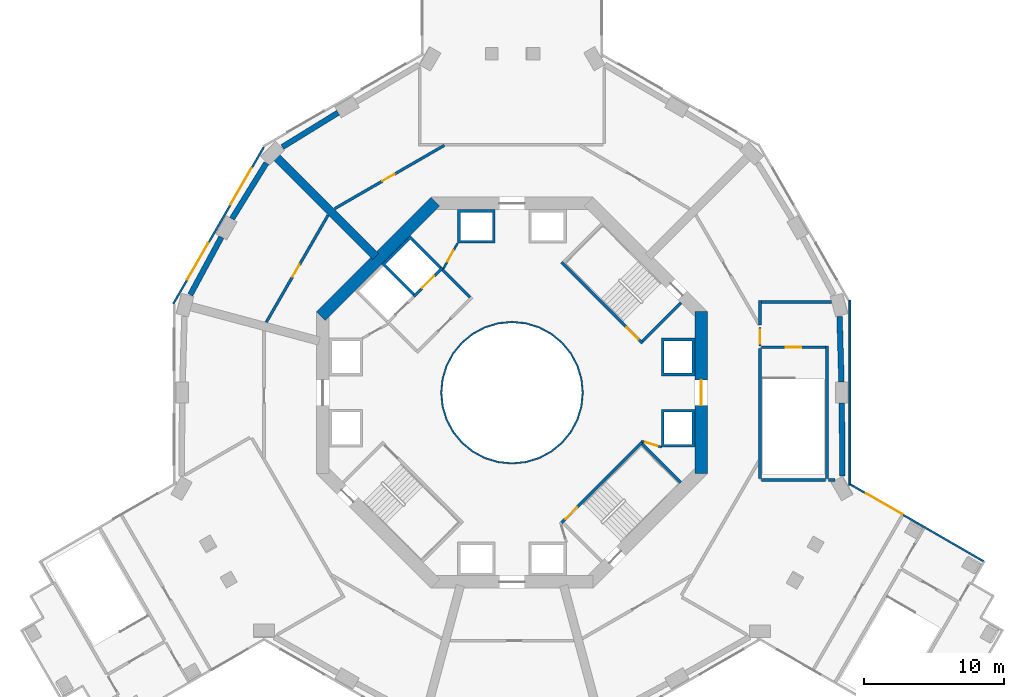
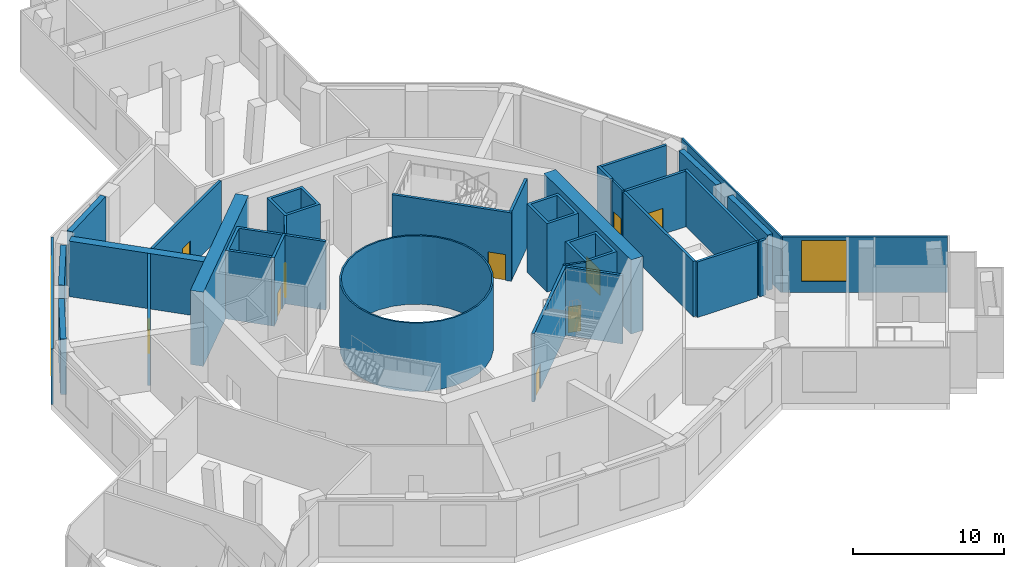
# One storey, part 4 of 12: 34 walls, 10 doors, 3 windows, 13 openings.
"""IFC4 building model written with IfcOpenShell, lengths in metres."""

from ifc_helpers import new_model, si_unit, direction, frame, frame_2d, origin, place, context, subcontext, project, spatial, polyline, rectangle, outline, extrude, material, layer, layer_set, type_object, element, fill, save


model = new_model("IFC4")

# Units and contexts
model_context = context("Model", 3, precision=1e-05, world=origin(), true_north=direction((0.0, 1.0)))
body_context = subcontext(model_context, "Body", "Model", "MODEL_VIEW")
ifc_project = project(units=[si_unit("LENGTHUNIT", "METRE"), si_unit("AREAUNIT", "SQUARE_METRE"), si_unit("VOLUMEUNIT", "CUBIC_METRE"), si_unit("PLANEANGLEUNIT", "RADIAN"), si_unit("MASSUNIT", "GRAM", prefix="KILO")], contexts=[model_context])

# Site, building, storey
site_placement = place(None, origin())
site = spatial("IfcSite", under=ifc_project, at=site_placement, CompositionType="ELEMENT")
building_placement = place(site_placement, origin())
building = spatial("IfcBuilding", under=site, at=building_placement, Name="Verdalira Terraces Hotel", CompositionType="ELEMENT")
storey_placement = place(building_placement, frame((0.0, 0.0, 28.0)))
storey = spatial("IfcBuildingStorey", under=building, at=storey_placement, Name="L05", CompositionType="ELEMENT", Elevation=28.0)

# Walls
ifc_material_1 = material(Name="Fire-resisting glass EI 180", Category="glass")
ifc_layer_1 = layer(ifc_material_1, 0.1201171875)
ifc_layer_set_1 = layer_set([ifc_layer_1], Name="Atrium fire screen 120 mm")
wall_type_1 = type_object("IfcWallType", Name="Atrium fire screen 120 mm", PredefinedType="SOLIDWALL", material=ifc_layer_set_1)
wall_1_placement = place(storey_placement, origin())
element("IfcWall", 1, at=wall_1_placement, inside=storey, type_object=wall_type_1, Name="Atrium fire screen", PredefinedType="SOLIDWALL", context=body_context, shape_type="SweptSolid", body=[
    extrude(outline(polyline([(5.021484, -0.998779), (4.730225, -1.959229), (4.25708, -2.844482), (3.620361, -3.620361), (2.844482, -4.25708), (1.959229, -4.730225), (0.998779, -5.021484), (0.0, -5.120117), (-0.998779, -5.021484), (-1.959229, -4.730225), (-2.844482, -4.25708), (-3.620361, -3.620361), (-4.25708, -2.844482), (-4.730225, -1.959229), (-5.021484, -0.998779), (-5.120117, 0.0), (-5.021484, 0.998779), (-4.730225, 1.959229), (-4.25708, 2.844482), (-3.620361, 3.620361), (-2.844482, 4.25708), (-1.959229, 4.730225), (-0.998779, 5.021484), (0.0, 5.120117), (0.998779, 5.021484), (1.959229, 4.730225), (2.844482, 4.25708), (3.620361, 3.620361), (4.25708, 2.844482), (4.730225, 1.959229), (5.021484, 0.998779), (5.120117, 0.0), (5.021484, -0.998779)]), holes=[polyline([(4.903809, 0.975586), (4.619385, 1.91333), (4.157227, 2.777832), (3.5354, 3.5354), (2.777832, 4.157227), (1.91333, 4.619385), (0.975586, 4.903809), (0.0, 5.0), (-0.975586, 4.903809), (-1.91333, 4.619385), (-2.777832, 4.157227), (-3.5354, 3.5354), (-4.157227, 2.777832), (-4.619385, 1.91333), (-4.903809, 0.975586), (-5.0, 0.0), (-4.903809, -0.975586), (-4.619385, -1.91333), (-4.157227, -2.777832), (-3.5354, -3.5354), (-2.777832, -4.157227), (-1.91333, -4.619385), (-0.975586, -4.903809), (0.0, -5.0), (0.975586, -4.903809), (1.91333, -4.619385), (2.777832, -4.157227), (3.5354, -3.5354), (4.157227, -2.777832), (4.619385, -1.91333), (4.903809, -0.975586), (5.0, 0.0), (4.903809, 0.975586)])]), origin(), (0.0, 0.0, 1.0), 5.550049),
])
ifc_material_2 = material(Name="Concrete C70", Category="concrete")
ifc_layer_2 = layer(ifc_material_2, 0.39990234375)
ifc_layer_set_2 = layer_set([ifc_layer_2], Name="Belt wall 400 C70")
wall_type_2 = type_object("IfcWallType", Name="Belt wall 400 C70", PredefinedType="SHEAR", material=ifc_layer_set_2)
for number, where, z_axis, x_axis, name in (
    (2, (-12.453369, 20.04541, 0.0), (0.0, 0.0, 1.0), (-0.851334227, -0.524623706, 0.0), "Belt wall BW-05-2"),
    (3, (-17.588135, 16.440918, 0.0), (0.0, 0.0, 1.0), (-0.524623706, -0.851334227, 0.0), "Belt wall BW-05-3"),
    (4, (-20.807617, 11.133057, 0.0), (0.0, 0.0, 1.0), (-0.474994751, -0.879988629, 0.0), "Belt wall BW-05-4"),
):
    element("IfcWall", number, at=place(storey_placement, frame(where, z_axis=z_axis, x_axis=x_axis)), inside=storey, type_object=wall_type_2, Name=name, PredefinedType="SHEAR", context=body_context, shape_type="SweptSolid", body=[
        extrude(rectangle(XDim=4.683838, YDim=0.399902, at=frame_2d((2.341797, 0.0))), origin(), (0.0, 0.0, 1.0), 4.5),
    ])
wall_2_placement = place(storey_placement, frame((23.651855, -5.971924, 0.0), z_axis=(0.0, 0.0, 1.0), x_axis=(-0.00729771, 0.999973371, 0.0)))
element("IfcWall", 5, at=wall_2_placement, inside=storey, type_object=wall_type_2, Name="Belt wall BW-05-13", PredefinedType="SHEAR", context=body_context, shape_type="SweptSolid", body=[
    extrude(rectangle(XDim=5.218994, YDim=0.399902, at=frame_2d((2.609375, 0.0))), origin(), (0.0, 0.0, 1.0), 4.5),
])
wall_3_placement = place(storey_placement, frame((23.586426, 0.762207, 0.0), z_axis=(0.0, 0.0, 1.0), x_axis=(-0.028666908, 0.99958902, 0.0)))
element("IfcWall", 6, at=wall_3_placement, inside=storey, type_object=wall_type_2, Name="Belt wall BW-05-14", PredefinedType="SHEAR", context=body_context, shape_type="SweptSolid", body=[
    extrude(rectangle(XDim=4.684082, YDim=0.399902, at=frame_2d((2.342041, 0.0))), origin(), (0.0, 0.0, 1.0), 4.5),
])
ifc_material_3 = material(Name="Concrete C50", Category="concrete")
ifc_layer_3 = layer(ifc_material_3, 0.199951171875)
ifc_layer_set_3 = layer_set([ifc_layer_3], Name="Core RC wall 200 C50")
wall_type_3 = type_object("IfcWallType", Name="Core RC wall 200 C50", PredefinedType="SOLIDWALL", material=ifc_layer_set_3)
wall_4_placement = place(storey_placement, origin())
element("IfcWall", 7, at=wall_4_placement, inside=storey, type_object=wall_type_3, Name="L05 shaft wall E1", PredefinedType="SOLIDWALL", context=body_context, shape_type="SweptSolid", body=[
    extrude(outline(polyline([(13.100098, -1.199951), (13.100098, -3.899902), (10.699951, -3.899902), (10.699951, -1.199951), (13.100098, -1.199951)]), holes=[polyline([(10.899902, -3.699951), (12.899902, -3.699951), (12.899902, -1.399902), (10.899902, -1.399902), (10.899902, -3.699951)])]), origin(), (0.0, 0.0, 1.0), 5.550049),
])
wall_5_placement = place(storey_placement, origin())
element("IfcWall", 8, at=wall_5_placement, inside=storey, type_object=wall_type_3, Name="L05 shaft wall E2", PredefinedType="SOLIDWALL", context=body_context, shape_type="SweptSolid", body=[
    extrude(outline(polyline([(10.699951, 3.899902), (13.100098, 3.899902), (13.100098, 1.199951), (10.699951, 1.199951), (10.699951, 3.899902)]), holes=[polyline([(12.899902, 1.399902), (12.899902, 3.699951), (10.899902, 3.699951), (10.899902, 1.399902), (12.899902, 1.399902)])]), origin(), (0.0, 0.0, 1.0), 5.550049),
])
wall_6_placement = place(storey_placement, origin())
element("IfcWall", 9, at=wall_6_placement, inside=storey, type_object=wall_type_3, Name="L05 shaft wall N2", PredefinedType="SOLIDWALL", context=body_context, shape_type="SweptSolid", body=[
    extrude(outline(polyline([(-3.899902, 10.699951), (-3.899902, 13.100098), (-1.199951, 13.100098), (-1.199951, 10.699951), (-3.899902, 10.699951)]), holes=[polyline([(-1.399902, 12.899902), (-3.699951, 12.899902), (-3.699951, 10.899902), (-1.399902, 10.899902), (-1.399902, 12.899902)])]), origin(), (0.0, 0.0, 1.0), 5.550049),
])
wall_7_placement = place(storey_placement, origin())
element("IfcWall", 10, at=wall_7_placement, inside=storey, type_object=wall_type_3, Name="L05 shaft wall F1", PredefinedType="SOLIDWALL", context=body_context, shape_type="SweptSolid", body=[
    extrude(outline(polyline([(-9.33374, 9.192383), (-7.283203, 11.24292), (-5.055908, 9.015625), (-5.197266, 8.874268), (-7.283203, 10.960205), (-9.051025, 9.192383), (-6.965088, 7.106445), (-7.106445, 6.965088), (-9.33374, 9.192383)])), origin(), (0.0, 0.0, 1.0), 5.550049),
])

# Wall, opening, door
wall_8_placement = place(storey_placement, frame((-4.985107, 8.944824, 0.0), z_axis=(0.0, 0.0, 1.0), x_axis=(-0.707106781, -0.707106781, 0.0)))
wall_8 = element("IfcWall", 11, at=wall_8_placement, inside=storey, type_object=wall_type_3, Name="L05 shaft front wall F1", PredefinedType="SOLIDWALL", context=body_context, shape_type="SweptSolid", body=[
    extrude(rectangle(XDim=2.899902, YDim=0.199951, at=frame_2d((1.449951, 0.0))), origin(), (0.0, 0.0, 1.0), 5.550049),
])
opening_1_placement = place(wall_8_placement, frame((0.850098, 0.0, 0.0)))
opening_1 = element("IfcOpeningElement", 12, at=opening_1_placement, cuts=wall_8, Name="Opening LD-L05-801", PredefinedType="OPENING", context=body_context, shape_type="SweptSolid", body=[
    extrude(rectangle(XDim=1.199951, YDim=2.100098, at=frame_2d((0.600098, 1.050049))), frame((0.0, 0.109863, 0.0), z_axis=(0.0, -1.0, 0.0), x_axis=(1.0, 0.0, 0.0)), (0.0, 0.0, 1.0), 0.219971),
])
ifc_material_4 = material(Name="Stainless steel", Category="steel")
door_type_1 = type_object("IfcDoorType", Name="Landing door 1200 x 2100", OperationType="NOTDEFINED", PredefinedType="DOOR", material=ifc_material_4)
door_1_placement = place(opening_1_placement, origin())
door_1 = element("IfcDoor", 13, at=door_1_placement, inside=storey, type_object=door_type_1, Name="Lift landing door LF11 L05", OperationType="DOUBLE_DOOR_SLIDING", OverallHeight=2.10009765625, OverallWidth=1.199951171875, PredefinedType="DOOR", context=body_context, shape_type="SweptSolid", body=[
    extrude(rectangle(XDim=1.199951, YDim=2.100098, at=frame_2d((0.600098, 1.050049))), frame((0.0, 0.024902, 0.0), z_axis=(0.0, -1.0, 0.0), x_axis=(1.0, 0.0, 0.0)), (0.0, 0.0, 1.0), 0.050049),
])
fill(opening_1, door_1)

wall_9_placement = place(storey_placement, frame((3.5354, 9.33374, 0.0), z_axis=(0.0, 0.0, 1.0), x_axis=(0.707106781, -0.707106781, 0.0)))
wall_9 = element("IfcWall", 14, at=wall_9_placement, inside=storey, type_object=wall_type_3, Name="L05 stair ST1 front wall", PredefinedType="SOLIDWALL", context=body_context, shape_type="SweptSolid", body=[
    extrude(rectangle(XDim=8.200195, YDim=0.199951, at=frame_2d((4.100098, 0.0))), origin(), (0.0, 0.0, 1.0), 5.550049),
])
opening_2_placement = place(wall_9_placement, frame((6.600098, 0.0, 0.0)))
opening_2 = element("IfcOpeningElement", 15, at=opening_2_placement, cuts=wall_9, Name="Opening L05-803", PredefinedType="OPENING", context=body_context, shape_type="SweptSolid", body=[
    extrude(rectangle(XDim=1.199951, YDim=2.100098, at=frame_2d((0.600098, 1.050049))), frame((0.0, 0.109863, 0.0), z_axis=(0.0, -1.0, 0.0), x_axis=(1.0, 0.0, 0.0)), (0.0, 0.0, 1.0), 0.219971),
])
ifc_material_5 = material(Name="Steel fire door", Category="steel")
door_type_2 = type_object("IfcDoorType", Name="Stair door 1200 x 2100", OperationType="NOTDEFINED", PredefinedType="DOOR", material=ifc_material_5)
door_2_placement = place(opening_2_placement, origin())
door_2 = element("IfcDoor", 16, at=door_2_placement, inside=storey, type_object=door_type_2, Name="Stair door ST1 L05", OperationType="SINGLE_SWING_RIGHT", OverallHeight=2.10009765625, OverallWidth=1.199951171875, PredefinedType="DOOR", context=body_context, shape_type="SweptSolid", body=[
    extrude(rectangle(XDim=1.199951, YDim=2.100098, at=frame_2d((0.600098, 1.050049))), frame((0.0, 0.024902, 0.0), z_axis=(0.0, -1.0, 0.0), x_axis=(1.0, 0.0, 0.0)), (0.0, 0.0, 1.0), 0.050049),
])
fill(opening_2, door_2)

# Wall
wall_10_placement = place(storey_placement, frame((9.33374, 3.677002, 0.0), z_axis=(0.0, 0.0, 1.0), x_axis=(0.707106781, 0.707106781, 0.0)))
element("IfcWall", 17, at=wall_10_placement, inside=storey, type_object=wall_type_3, Name="L05 stair ST1 end wall 1", PredefinedType="SOLIDWALL", context=body_context, shape_type="SweptSolid", body=[
    extrude(rectangle(XDim=3.900146, YDim=0.199951, at=frame_2d((1.950195, 0.0))), origin(), (0.0, 0.0, 1.0), 5.550049),
])

# Wall, opening, door
wall_11_placement = place(storey_placement, frame((9.33374, -3.5354, 0.0), z_axis=(0.0, 0.0, 1.0), x_axis=(-0.707106781, -0.707106781, 0.0)))
wall_11 = element("IfcWall", 18, at=wall_11_placement, inside=storey, type_object=wall_type_3, Name="L05 stair ST3 front wall", PredefinedType="SOLIDWALL", context=body_context, shape_type="SweptSolid", body=[
    extrude(rectangle(XDim=8.200195, YDim=0.199951, at=frame_2d((4.100098, 0.0))), origin(), (0.0, 0.0, 1.0), 5.550049),
])
opening_3_placement = place(wall_11_placement, frame((6.600098, 0.0, 0.0)))
opening_3 = element("IfcOpeningElement", 19, at=opening_3_placement, cuts=wall_11, Name="Opening L05-805", PredefinedType="OPENING", context=body_context, shape_type="SweptSolid", body=[
    extrude(rectangle(XDim=1.199951, YDim=2.100098, at=frame_2d((0.600098, 1.050049))), frame((0.0, 0.109863, 0.0), z_axis=(0.0, -1.0, 0.0), x_axis=(1.0, 0.0, 0.0)), (0.0, 0.0, 1.0), 0.219971),
])
door_3_placement = place(opening_3_placement, origin())
door_3 = element("IfcDoor", 20, at=door_3_placement, inside=storey, type_object=door_type_2, Name="Stair door ST3 L05", OperationType="SINGLE_SWING_RIGHT", OverallHeight=2.10009765625, OverallWidth=1.199951171875, PredefinedType="DOOR", context=body_context, shape_type="SweptSolid", body=[
    extrude(rectangle(XDim=1.199951, YDim=2.100098, at=frame_2d((0.600098, 1.050049))), frame((0.0, 0.024902, 0.0), z_axis=(0.0, -1.0, 0.0), x_axis=(1.0, 0.0, 0.0)), (0.0, 0.0, 1.0), 0.050049),
])
fill(opening_3, door_3)

# Walls
wall_12_placement = place(storey_placement, frame((9.33374, -3.677002, 0.0), z_axis=(0.0, 0.0, 1.0), x_axis=(0.707106781, -0.707106781, 0.0)))
element("IfcWall", 21, at=wall_12_placement, inside=storey, type_object=wall_type_3, Name="L05 stair ST3 end wall 2", PredefinedType="SOLIDWALL", context=body_context, shape_type="SweptSolid", body=[
    extrude(rectangle(XDim=3.900146, YDim=0.199951, at=frame_2d((1.950195, 0.0))), origin(), (0.0, 0.0, 1.0), 5.550049),
])
wall_13_placement = place(storey_placement, frame((-3.005127, 6.823486, 0.0), z_axis=(0.0, 0.0, 1.0), x_axis=(-0.707106781, 0.707106781, 0.0)))
element("IfcWall", 22, at=wall_13_placement, inside=storey, type_object=wall_type_3, Name="L05 fire lobby wall", PredefinedType="SOLIDWALL", context=body_context, shape_type="SweptSolid", body=[
    extrude(rectangle(XDim=2.800049, YDim=0.199951, at=frame_2d((1.399902, 0.0))), origin(), (0.0, 0.0, 1.0), 5.550049),
])

# Wall, opening, door
ifc_material_6 = material(Name="Gypsum board partition")
ifc_layer_4 = layer(ifc_material_6, 0.14990234375)
ifc_layer_set_4 = layer_set([ifc_layer_4], Name="Core partition 150 mm")
wall_type_4 = type_object("IfcWallType", Name="Core partition 150 mm", PredefinedType="PARTITIONING", material=ifc_layer_set_4)
wall_14_placement = place(storey_placement, frame((-3.899902, 10.699951, 0.0), z_axis=(0.0, 0.0, 1.0), x_axis=(-0.485692555, -0.874129705, 0.0)))
wall_14 = element("IfcWall", 23, at=wall_14_placement, inside=storey, type_object=wall_type_4, Name="Room partition L05", PredefinedType="PARTITIONING", context=body_context, shape_type="SweptSolid", body=[
    extrude(rectangle(XDim=2.088623, YDim=0.149902, at=frame_2d((1.044434, 0.0))), origin(), (0.0, 0.0, 1.0), 5.550049),
])
opening_4_placement = place(wall_14_placement, frame((0.594238, 0.0, 0.0)))
opening_4 = element("IfcOpeningElement", 24, at=opening_4_placement, cuts=wall_14, Name="Opening L05-814", PredefinedType="OPENING", context=body_context, shape_type="SweptSolid", body=[
    extrude(rectangle(XDim=0.899902, YDim=2.100098, at=frame_2d((0.449951, 1.050049))), frame((0.0, 0.084961, 0.0), z_axis=(0.0, -1.0, 0.0), x_axis=(1.0, 0.0, 0.0)), (0.0, 0.0, 1.0), 0.169922),
])
ifc_material_7 = material(Name="Steel fire door", Category="steel")
door_type_3 = type_object("IfcDoorType", Name="Core room door 900 x 2100", OperationType="NOTDEFINED", PredefinedType="DOOR", material=ifc_material_7)
door_4_placement = place(opening_4_placement, origin())
door_4 = element("IfcDoor", 25, at=door_4_placement, inside=storey, type_object=door_type_3, Name="Door L05 room2", OperationType="SINGLE_SWING_LEFT", OverallHeight=2.10009765625, OverallWidth=0.89990234375, PredefinedType="DOOR", context=body_context, shape_type="SweptSolid", body=[
    extrude(rectangle(XDim=0.899902, YDim=2.100098, at=frame_2d((0.449951, 1.050049))), frame((0.0, 0.024902, 0.0), z_axis=(0.0, -1.0, 0.0), x_axis=(1.0, 0.0, 0.0)), (0.0, 0.0, 1.0), 0.050049),
])
fill(opening_4, door_4)

wall_15_placement = place(storey_placement, frame((9.263184, -3.464844, 0.0), z_axis=(0.0, 0.0, 1.0), x_axis=(0.957084567, -0.289808785, 0.0)))
wall_15 = element("IfcWall", 26, at=wall_15_placement, inside=storey, type_object=wall_type_4, Name="Room partition L05", PredefinedType="PARTITIONING", context=body_context, shape_type="SweptSolid", body=[
    extrude(rectangle(XDim=1.501221, YDim=0.149902, at=frame_2d((0.750488, 0.0))), origin(), (0.0, 0.0, 1.0), 5.550049),
])
opening_5_placement = place(wall_15_placement, frame((0.300781, 0.0, 0.0)))
opening_5 = element("IfcOpeningElement", 27, at=opening_5_placement, cuts=wall_15, Name="Opening L05-817", PredefinedType="OPENING", context=body_context, shape_type="SweptSolid", body=[
    extrude(rectangle(XDim=0.899902, YDim=2.100098, at=frame_2d((0.449951, 1.050049))), frame((0.0, 0.084961, 0.0), z_axis=(0.0, -1.0, 0.0), x_axis=(1.0, 0.0, 0.0)), (0.0, 0.0, 1.0), 0.169922),
])
door_5_placement = place(opening_5_placement, origin())
door_5 = element("IfcDoor", 28, at=door_5_placement, inside=storey, type_object=door_type_3, Name="Door L05 room7", OperationType="SINGLE_SWING_LEFT", OverallHeight=2.10009765625, OverallWidth=0.89990234375, PredefinedType="DOOR", context=body_context, shape_type="SweptSolid", body=[
    extrude(rectangle(XDim=0.899902, YDim=2.100098, at=frame_2d((0.449951, 1.050049))), frame((0.0, 0.024902, 0.0), z_axis=(0.0, -1.0, 0.0), x_axis=(1.0, 0.0, 0.0)), (0.0, 0.0, 1.0), 0.050049),
])
fill(opening_5, door_5)

ifc_material_8 = material(Name="Concrete C70", Category="concrete")
ifc_layer_5 = layer(ifc_material_8, 0.89990234375)
ifc_layer_set_5 = layer_set([ifc_layer_5], Name="Core wall 900 C70")
wall_type_5 = type_object("IfcWallType", Name="Core wall 900 C70", PredefinedType="SHEAR", material=ifc_layer_set_5)
wall_16_placement = place(storey_placement, frame((13.550049, -5.799072, 0.0), z_axis=(0.0, 0.0, 1.0), x_axis=(0.0, 1.0, 0.0)))
wall_16 = element("IfcWall", 29, at=wall_16_placement, inside=storey, type_object=wall_type_5, Name="Core wall CW-L05-1", PredefinedType="SHEAR", context=body_context, shape_type="SweptSolid", body=[
    extrude(rectangle(XDim=11.598145, YDim=0.899902, at=frame_2d((5.799072, 0.0))), origin(), (0.0, 0.0, 1.0), 6.0),
])
opening_6_placement = place(wall_16_placement, frame((4.898926, 0.0, 0.0)))
opening_6 = element("IfcOpeningElement", 30, at=opening_6_placement, cuts=wall_16, Name="Opening L05-806", PredefinedType="OPENING", context=body_context, shape_type="SweptSolid", body=[
    extrude(rectangle(XDim=1.800049, YDim=2.100098, at=frame_2d((0.899902, 1.050049))), frame((0.0, 0.459961, 0.0), z_axis=(0.0, -1.0, 0.0), x_axis=(1.0, 0.0, 0.0)), (0.0, 0.0, 1.0), 0.919922),
])
ifc_material_9 = material(Name="Steel fire door", Category="steel")
door_type_4 = type_object("IfcDoorType", Name="Core entry door pair 1800 x 2100", OperationType="NOTDEFINED", PredefinedType="DOOR", material=ifc_material_9)
door_6_placement = place(opening_6_placement, origin())
door_6 = element("IfcDoor", 31, at=door_6_placement, inside=storey, type_object=door_type_4, Name="Core entry door L05 0", OperationType="DOUBLE_DOOR_SINGLE_SWING", OverallHeight=2.10009765625, OverallWidth=1.800048828125, PredefinedType="DOOR", context=body_context, shape_type="SweptSolid", body=[
    extrude(rectangle(XDim=1.800049, YDim=2.100098, at=frame_2d((0.899902, 1.050049))), frame((0.0, 0.024902, 0.0), z_axis=(0.0, -1.0, 0.0), x_axis=(1.0, 0.0, 0.0)), (0.0, 0.0, 1.0), 0.050049),
])
fill(opening_6, door_6)

# Wall
wall_17_placement = place(storey_placement, frame((-5.480713, 13.681885, 0.0), z_axis=(0.0, 0.0, 1.0), x_axis=(-0.707106781, -0.707106781, 0.0)))
element("IfcWall", 32, at=wall_17_placement, inside=storey, type_object=wall_type_5, Name="Core wall CW-L05-4", PredefinedType="SHEAR", context=body_context, shape_type="SweptSolid", body=[
    extrude(rectangle(XDim=11.598145, YDim=0.899902, at=frame_2d((5.799072, 0.0))), origin(), (0.0, 0.0, 1.0), 6.0),
])

# Wall, opening, door
ifc_material_10 = material(Name="Concrete block masonry", Category="masonry")
ifc_layer_6 = layer(ifc_material_10, 0.199951171875)
ifc_layer_set_6 = layer_set([ifc_layer_6], Name="Fire-rated masonry wall 200 mm")
wall_type_6 = type_object("IfcWallType", Name="Fire-rated masonry wall 200 mm", PredefinedType="SOLIDWALL", material=ifc_layer_set_6)
wall_18_placement = place(storey_placement, frame((-17.587402, 5.054199, 0.0), z_axis=(0.0, 0.0, 1.0), x_axis=(0.499985628, 0.866033701, 0.0)))
wall_18 = element("IfcWall", 33, at=wall_18_placement, inside=storey, type_object=wall_type_6, Name="Plant and kitchen enclosure wall", PredefinedType="SOLIDWALL", context=body_context, shape_type="SweptSolid", body=[
    extrude(rectangle(XDim=8.833252, YDim=0.199951, at=frame_2d((4.416504, 0.0))), origin(), (0.0, 0.0, 1.0), 4.5),
])
opening_7_placement = place(wall_18_placement, frame((3.75, 0.0, 0.0)))
opening_7 = element("IfcOpeningElement", 34, at=opening_7_placement, cuts=wall_18, Name="Opening L05-D06", PredefinedType="OPENING", context=body_context, shape_type="SweptSolid", body=[
    extrude(rectangle(XDim=1.0, YDim=2.100098, at=frame_2d((0.5, 1.050049))), frame((0.0, 0.109863, 0.0), z_axis=(0.0, -1.0, 0.0), x_axis=(1.0, 0.0, 0.0)), (0.0, 0.0, 1.0), 0.219971),
])
ifc_material_11 = material(Name="Steel fire door", Category="steel")
door_type_5 = type_object("IfcDoorType", Name="Fire door 1000 x 2100", OperationType="SINGLE_SWING_LEFT", PredefinedType="DOOR", material=ifc_material_11)
door_7_placement = place(opening_7_placement, origin())
door_7 = element("IfcDoor", 35, at=door_7_placement, inside=storey, type_object=door_type_5, Name="Chiller plant room door", OperationType="SINGLE_SWING_RIGHT", OverallHeight=2.10009765625, OverallWidth=1.0, PredefinedType="DOOR", context=body_context, shape_type="SweptSolid", body=[
    extrude(rectangle(XDim=1.0, YDim=2.100098, at=frame_2d((0.5, 1.050049))), frame((0.0, 0.024902, 0.0), z_axis=(0.0, -1.0, 0.0), x_axis=(1.0, 0.0, 0.0)), (0.0, 0.0, 1.0), 0.050049),
])
fill(opening_7, door_7)

wall_19_placement = place(storey_placement, frame((-12.704102, 13.170898, 0.0), z_axis=(0.0, 0.0, 1.0), x_axis=(0.866031025, 0.499990264, 0.0)))
wall_19 = element("IfcWall", 36, at=wall_19_placement, inside=storey, type_object=wall_type_6, Name="Plant and kitchen enclosure wall", PredefinedType="SOLIDWALL", context=body_context, shape_type="SweptSolid", body=[
    extrude(rectangle(XDim=9.074951, YDim=0.199951, at=frame_2d((4.537598, 0.0))), origin(), (0.0, 0.0, 1.0), 4.5),
])
opening_8_placement = place(wall_19_placement, frame((3.949951, 0.0, 0.0)))
opening_8 = element("IfcOpeningElement", 37, at=opening_8_placement, cuts=wall_19, Name="Opening L05-D07", PredefinedType="OPENING", context=body_context, shape_type="SweptSolid", body=[
    extrude(rectangle(XDim=1.0, YDim=2.100098, at=frame_2d((0.5, 1.050049))), frame((0.0, 0.109863, 0.0), z_axis=(0.0, -1.0, 0.0), x_axis=(1.0, 0.0, 0.0)), (0.0, 0.0, 1.0), 0.219971),
])
door_8_placement = place(opening_8_placement, origin())
door_8 = element("IfcDoor", 38, at=door_8_placement, inside=storey, type_object=door_type_5, Name="Air handling plant room door", OperationType="SINGLE_SWING_LEFT", OverallHeight=2.10009765625, OverallWidth=1.0, PredefinedType="DOOR", context=body_context, shape_type="SweptSolid", body=[
    extrude(rectangle(XDim=1.0, YDim=2.100098, at=frame_2d((0.5, 1.050049))), frame((0.0, 0.024902, 0.0), z_axis=(0.0, -1.0, 0.0), x_axis=(1.0, 0.0, 0.0)), (0.0, 0.0, 1.0), 0.050049),
])
fill(opening_8, door_8)

# Walls
wall_20_placement = place(storey_placement, frame((17.758301, 6.600098, 0.0), z_axis=(0.0, 0.0, 1.0), x_axis=(0.0, -1.0, 0.0)))
element("IfcWall", 39, at=wall_20_placement, inside=storey, type_object=wall_type_6, Name="Plant and kitchen enclosure wall", PredefinedType="SOLIDWALL", context=body_context, shape_type="SweptSolid", body=[
    extrude(rectangle(XDim=1.741943, YDim=0.199951, at=frame_2d((0.871094, 0.0))), origin(), (0.0, 0.0, 1.0), 4.5),
])
wall_21_placement = place(storey_placement, frame((22.658203, -6.25, 0.0), z_axis=(0.0, 0.0, 1.0), x_axis=(1.0, 0.0, 0.0)))
element("IfcWall", 40, at=wall_21_placement, inside=storey, type_object=wall_type_6, Name="Plant and kitchen enclosure wall", PredefinedType="SOLIDWALL", context=body_context, shape_type="SweptSolid", body=[
    extrude(rectangle(XDim=0.473145, YDim=0.199951, at=frame_2d((0.236572, 0.0))), origin(), (0.0, 0.0, 1.0), 4.5),
])
wall_22_placement = place(storey_placement, frame((22.871826, 6.5, 0.0), z_axis=(0.0, 0.0, 1.0), x_axis=(-1.0, 0.0, 0.0)))
element("IfcWall", 41, at=wall_22_placement, inside=storey, type_object=wall_type_6, Name="Plant and kitchen enclosure wall", PredefinedType="SOLIDWALL", context=body_context, shape_type="SweptSolid", body=[
    extrude(rectangle(XDim=5.013428, YDim=0.199951, at=frame_2d((2.506836, 0.0))), origin(), (0.0, 0.0, 1.0), 4.5),
])

# Wall, opening, door
ifc_material_12 = material(Name="Gypsum board partition on steel stud", Category="steel")
ifc_layer_7 = layer(ifc_material_12, 0.14990234375)
ifc_layer_set_7 = layer_set([ifc_layer_7], Name="Fire-rated partition 150 mm")
wall_type_7 = type_object("IfcWallType", Name="Fire-rated partition 150 mm", PredefinedType="PARTITIONING", material=ifc_layer_set_7)
wall_23_placement = place(storey_placement, frame((17.758301, 3.349854, 0.0), z_axis=(0.0, 0.0, 1.0), x_axis=(0.0, 1.0, 0.0)))
wall_23 = element("IfcWall", 42, at=wall_23_placement, inside=storey, type_object=wall_type_7, Name="Partition", PredefinedType="PARTITIONING", context=body_context, shape_type="SweptSolid", body=[
    extrude(rectangle(XDim=1.30835, YDim=0.149902, at=frame_2d((0.654297, 0.0))), origin(), (0.0, 0.0, 1.0), 4.5),
])
opening_9_placement = place(wall_23_placement, frame((0.158447, 0.0, 0.0)))
opening_9 = element("IfcOpeningElement", 43, at=opening_9_placement, cuts=wall_23, Name="Opening L05-D17", PredefinedType="OPENING", context=body_context, shape_type="SweptSolid", body=[
    extrude(rectangle(XDim=1.0, YDim=2.100098, at=frame_2d((0.5, 1.050049))), frame((0.0, 0.084961, 0.0), z_axis=(0.0, -1.0, 0.0), x_axis=(1.0, 0.0, 0.0)), (0.0, 0.0, 1.0), 0.169922),
])
door_9_placement = place(opening_9_placement, origin())
door_9 = element("IfcDoor", 44, at=door_9_placement, inside=storey, type_object=door_type_5, Name="Stair door Ring corridor", OperationType="SINGLE_SWING_LEFT", OverallHeight=2.10009765625, OverallWidth=1.0, PredefinedType="DOOR", context=body_context, shape_type="SweptSolid", body=[
    extrude(rectangle(XDim=1.0, YDim=2.100098, at=frame_2d((0.5, 1.050049))), frame((0.0, 0.024902, 0.0), z_axis=(0.0, -1.0, 0.0), x_axis=(1.0, 0.0, 0.0)), (0.0, 0.0, 1.0), 0.050049),
])
fill(opening_9, door_9)

# Walls
ifc_material_13 = material(Name="Concrete C70", Category="concrete")
ifc_layer_8 = layer(ifc_material_13, 0.60009765625)
ifc_layer_set_8 = layer_set([ifc_layer_8], Name="Outrigger wall 600 C70")
wall_type_8 = type_object("IfcWallType", Name="Outrigger wall 600 C70", PredefinedType="SHEAR", material=ifc_layer_set_8)
wall_24_placement = place(storey_placement, frame((-9.758057, 9.758057, 0.0), z_axis=(0.0, 0.0, 1.0), x_axis=(-0.707106781, 0.707106781, 0.0)))
element("IfcWall", 45, at=wall_24_placement, inside=storey, type_object=wall_type_8, Name="Outrigger wall OW-05-1", PredefinedType="SHEAR", context=body_context, shape_type="SweptSolid", body=[
    extrude(rectangle(XDim=10.004883, YDim=0.600098, at=frame_2d((5.002441, 0.0))), origin(), (0.0, 0.0, 1.0), 4.5),
])
ifc_material_14 = material(Name="Concrete C50", Category="concrete")
ifc_layer_9 = layer(ifc_material_14, 0.199951171875)
ifc_layer_set_9 = layer_set([ifc_layer_9], Name="Stair enclosure wall 200 mm")
wall_type_9 = type_object("IfcWallType", Name="Stair enclosure wall 200 mm", PredefinedType="SOLIDWALL", material=ifc_layer_set_9)
wall_25_placement = place(storey_placement, frame((17.858398, -6.25, 0.0), z_axis=(0.0, 0.0, 1.0), x_axis=(1.0, 0.0, 0.0)))
element("IfcWall", 46, at=wall_25_placement, inside=storey, type_object=wall_type_9, Name="Stair enclosure wall", PredefinedType="SOLIDWALL", context=body_context, shape_type="SweptSolid", body=[
    extrude(rectangle(XDim=4.600098, YDim=0.199951, at=frame_2d((2.300049, 0.0))), origin(), (0.0, 0.0, 1.0), 4.5),
])
wall_26_placement = place(storey_placement, frame((17.758301, 3.150146, 0.0), z_axis=(0.0, 0.0, 1.0), x_axis=(0.0, -1.0, 0.0)))
element("IfcWall", 47, at=wall_26_placement, inside=storey, type_object=wall_type_9, Name="Stair enclosure wall", PredefinedType="SOLIDWALL", context=body_context, shape_type="SweptSolid", body=[
    extrude(rectangle(XDim=9.300049, YDim=0.199951, at=frame_2d((4.649902, 0.0))), origin(), (0.0, 0.0, 1.0), 4.5),
])
wall_27_placement = place(storey_placement, frame((22.55835, -6.149902, 0.0), z_axis=(0.0, 0.0, 1.0), x_axis=(0.0, 1.0, 0.0)))
element("IfcWall", 48, at=wall_27_placement, inside=storey, type_object=wall_type_9, Name="Stair enclosure wall", PredefinedType="SOLIDWALL", context=body_context, shape_type="SweptSolid", body=[
    extrude(rectangle(XDim=9.5, YDim=0.199951, at=frame_2d((4.75, 0.0))), origin(), (0.0, 0.0, 1.0), 4.5),
])

# Wall, opening, door
wall_28_placement = place(storey_placement, frame((17.858398, 3.25, 0.0), z_axis=(0.0, 0.0, 1.0), x_axis=(1.0, 0.0, 0.0)))
wall_28 = element("IfcWall", 49, at=wall_28_placement, inside=storey, type_object=wall_type_9, Name="Stair enclosure wall", PredefinedType="SOLIDWALL", context=body_context, shape_type="SweptSolid", body=[
    extrude(rectangle(XDim=4.599854, YDim=0.199951, at=frame_2d((2.299805, 0.0))), origin(), (0.0, 0.0, 1.0), 4.5),
])
opening_10_placement = place(wall_28_placement, frame((1.75, 0.0, 0.0)))
opening_10 = element("IfcOpeningElement", 50, at=opening_10_placement, cuts=wall_28, Name="Opening L05-D18", PredefinedType="OPENING", context=body_context, shape_type="SweptSolid", body=[
    extrude(rectangle(XDim=1.100098, YDim=2.100098, at=frame_2d((0.550049, 1.050049))), frame((0.0, 0.109863, 0.0), z_axis=(0.0, -1.0, 0.0), x_axis=(1.0, 0.0, 0.0)), (0.0, 0.0, 1.0), 0.219971),
])
ifc_material_15 = material(Name="Steel fire door", Category="steel")
door_type_6 = type_object("IfcDoorType", Name="Stair door 1100 x 2100", OperationType="SINGLE_SWING_LEFT", PredefinedType="DOOR", material=ifc_material_15)
door_10_placement = place(opening_10_placement, origin())
door_10 = element("IfcDoor", 51, at=door_10_placement, inside=storey, type_object=door_type_6, Name="Stair door Stair lobby PS4", OperationType="SINGLE_SWING_RIGHT", OverallHeight=2.10009765625, OverallWidth=1.10009765625, PredefinedType="DOOR", context=body_context, shape_type="SweptSolid", body=[
    extrude(rectangle(XDim=1.100098, YDim=2.100098, at=frame_2d((0.550049, 1.050049))), frame((0.0, 0.024902, 0.0), z_axis=(0.0, -1.0, 0.0), x_axis=(1.0, 0.0, 0.0)), (0.0, 0.0, 1.0), 0.050049),
])
fill(opening_10, door_10)

# Wall, openings, windows
ifc_material_16 = material(Name="Terracotta cladding on steel stud backup", Category="masonry")
ifc_layer_10 = layer(ifc_material_16, 0.139892578125)
ifc_layer_set_10 = layer_set([ifc_layer_10], Name="Terracotta clad wall 140 mm")
wall_type_10 = type_object("IfcWallType", Name="Terracotta clad wall 140 mm", PredefinedType="SOLIDWALL", material=ifc_layer_set_10)
wall_29_placement = place(storey_placement, frame((-17.7771, 17.585693, 0.0), z_axis=(0.0, 0.0, 1.0), x_axis=(-0.500006139, -0.866021859, 0.0)))
wall_29 = element("IfcWall", 52, at=wall_29_placement, inside=storey, type_object=wall_type_10, Name="Podium facade wall", PredefinedType="SOLIDWALL", context=body_context, shape_type="SweptSolid", body=[
    extrude(rectangle(XDim=12.962158, YDim=0.139893, at=frame_2d((6.480957, 0.0))), origin(), (0.0, 0.0, 1.0), 4.5),
])
opening_11_placement = place(wall_29_placement, frame((1.747803, 0.0, 0.899902)))
opening_11 = element("IfcOpeningElement", 53, at=opening_11_placement, cuts=wall_29, Name="Opening WL", PredefinedType="OPENING", context=body_context, shape_type="SweptSolid", body=[
    extrude(rectangle(XDim=3.0, YDim=3.300049, at=frame_2d((1.5, 1.649902))), frame((0.0, 0.079834, 0.0), z_axis=(0.0, -1.0, 0.0), x_axis=(1.0, 0.0, 0.0)), (0.0, 0.0, 1.0), 0.159912),
])
opening_12_placement = place(wall_29_placement, frame((7.93457, 0.0, 0.899902)))
opening_12 = element("IfcOpeningElement", 54, at=opening_12_placement, cuts=wall_29, Name="Opening WL", PredefinedType="OPENING", context=body_context, shape_type="SweptSolid", body=[
    extrude(rectangle(XDim=3.0, YDim=3.300049, at=frame_2d((1.5, 1.649902))), frame((0.0, 0.079834, 0.0), z_axis=(0.0, -1.0, 0.0), x_axis=(1.0, 0.0, 0.0)), (0.0, 0.0, 1.0), 0.159912),
])
ifc_material_17 = material(Name="Terracotta louvre", Category="masonry")
window_type = type_object("IfcWindowType", Name="Plant louvre 3000 x 3300", PartitioningType="SINGLE_PANEL", PredefinedType="WINDOW", material=ifc_material_17)
window_1_placement = place(opening_11_placement, origin())
window_1 = element("IfcWindow", 55, at=window_1_placement, inside=storey, type_object=window_type, Name="Podium window", OverallHeight=3.300048828125, OverallWidth=3.0, PartitioningType="SINGLE_PANEL", PredefinedType="WINDOW", context=body_context, shape_type="SweptSolid", body=[
    extrude(rectangle(XDim=3.0, YDim=3.300049, at=frame_2d((1.5, 1.649902))), frame((0.0, 0.030029, 0.0), z_axis=(0.0, -1.0, 0.0), x_axis=(1.0, 0.0, 0.0)), (0.0, 0.0, 1.0), 0.060059),
])
fill(opening_11, window_1)
window_2_placement = place(opening_12_placement, origin())
window_2 = element("IfcWindow", 56, at=window_2_placement, inside=storey, type_object=window_type, Name="Podium window", OverallHeight=3.300048828125, OverallWidth=3.0, PartitioningType="SINGLE_PANEL", PredefinedType="WINDOW", context=body_context, shape_type="SweptSolid", body=[
    extrude(rectangle(XDim=3.0, YDim=3.300049, at=frame_2d((1.5, 1.649902))), frame((0.0, 0.030029, 0.0), z_axis=(0.0, -1.0, 0.0), x_axis=(1.0, 0.0, 0.0)), (0.0, 0.0, 1.0), 0.060059),
])
fill(opening_12, window_2)

# Wall, opening, window
wall_30_placement = place(storey_placement, frame((33.751221, -12.061523, 0.0), z_axis=(0.0, 0.0, 1.0), x_axis=(-0.86602647, 0.499998154, 0.0)))
wall_30 = element("IfcWall", 57, at=wall_30_placement, inside=storey, type_object=wall_type_10, Name="Podium facade wall", PredefinedType="SOLIDWALL", context=body_context, shape_type="SweptSolid", body=[
    extrude(rectangle(XDim=10.961426, YDim=0.139893, at=frame_2d((5.480713, 0.0))), origin(), (0.0, 0.0, 1.0), 4.5),
])
opening_13_placement = place(wall_30_placement, frame((6.702148, 0.0, 0.899902)))
opening_13 = element("IfcOpeningElement", 58, at=opening_13_placement, cuts=wall_30, Name="Opening WL", PredefinedType="OPENING", context=body_context, shape_type="SweptSolid", body=[
    extrude(rectangle(XDim=3.0, YDim=3.300049, at=frame_2d((1.5, 1.649902))), frame((0.0, 0.079834, 0.0), z_axis=(0.0, -1.0, 0.0), x_axis=(1.0, 0.0, 0.0)), (0.0, 0.0, 1.0), 0.159912),
])
window_3_placement = place(opening_13_placement, origin())
window_3 = element("IfcWindow", 59, at=window_3_placement, inside=storey, type_object=window_type, Name="Podium window", OverallHeight=3.300048828125, OverallWidth=3.0, PartitioningType="SINGLE_PANEL", PredefinedType="WINDOW", context=body_context, shape_type="SweptSolid", body=[
    extrude(rectangle(XDim=3.0, YDim=3.300049, at=frame_2d((1.5, 1.649902))), frame((0.0, 0.030029, 0.0), z_axis=(0.0, -1.0, 0.0), x_axis=(1.0, 0.0, 0.0)), (0.0, 0.0, 1.0), 0.060059),
])
fill(opening_13, window_3)

# Wall
wall_31_placement = place(storey_placement, frame((24.188232, -6.621094, 0.0), z_axis=(0.0, 0.0, 1.0), x_axis=(0.0, 1.0, 0.0)))
element("IfcWall", 60, at=wall_31_placement, inside=storey, type_object=wall_type_10, Name="Podium facade wall", PredefinedType="SOLIDWALL", context=body_context, shape_type="SweptSolid", body=[
    extrude(rectangle(XDim=13.242188, YDim=0.139893, at=frame_2d((6.621094, 0.0))), origin(), (0.0, 0.0, 1.0), 4.5),
])

save(model, "model.ifc")
